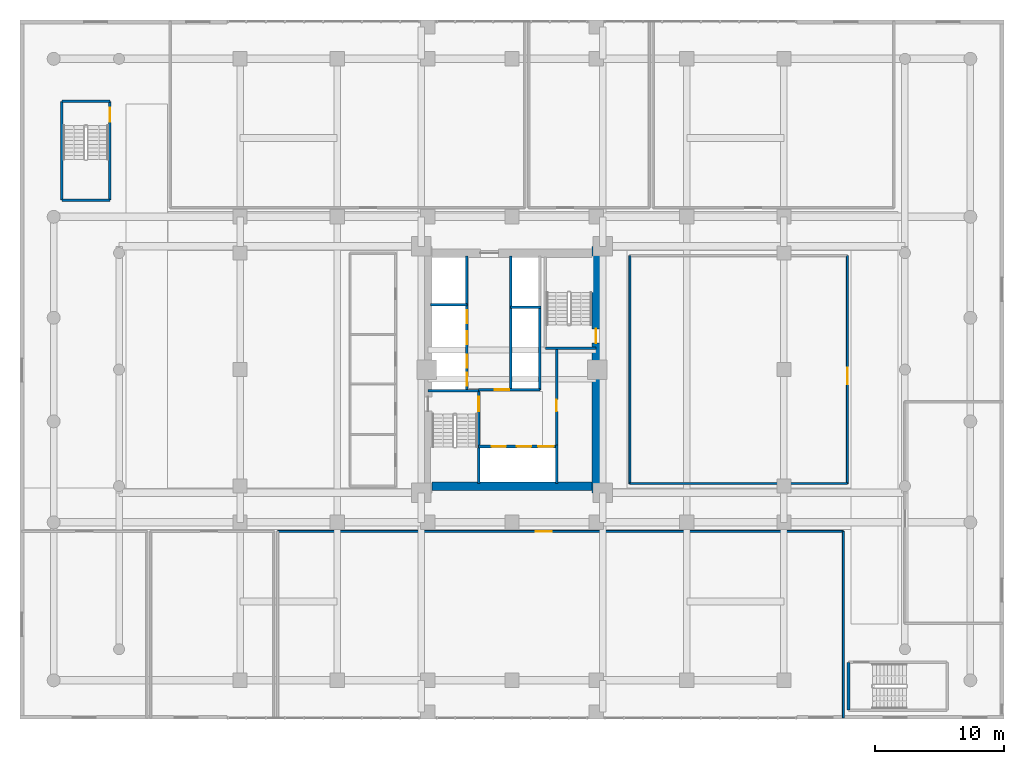
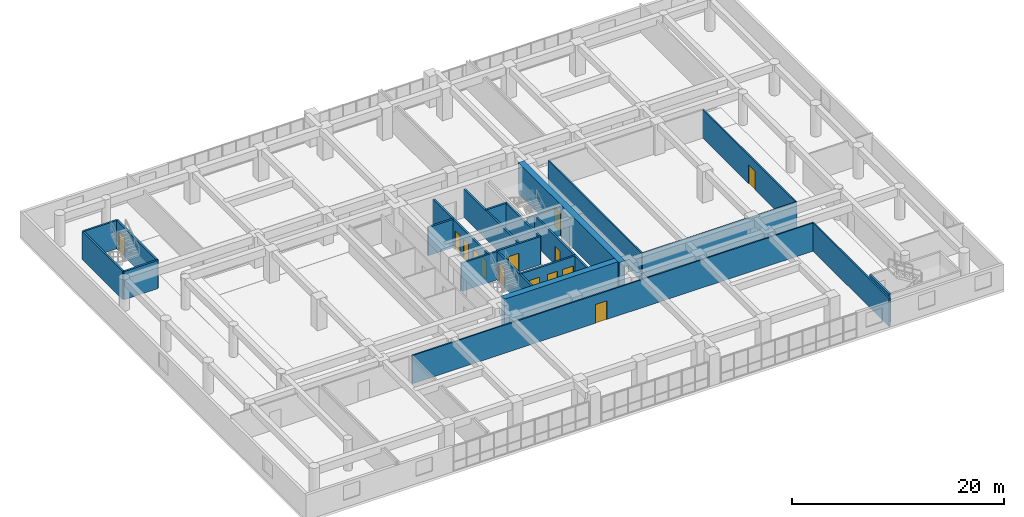
# One storey, part 19 of 30: 24 walls, 14 doors, 14 openings.
"""IFC4 building model written with IfcOpenShell, lengths in metres."""

from ifc_helpers import new_model, si_unit, direction, frame, frame_2d, origin, place, context, subcontext, project, spatial, rectangle, extrude, source, transform, mapped, material, layer, layer_set, type_object, element, fill, save


model = new_model("IFC4")

# Units and contexts
model_context = context("Model", 3, precision=1e-05, world=origin(), true_north=direction((0.0, 1.0)))
body_context = subcontext(model_context, "Body", "Model", "MODEL_VIEW")
ifc_project = project(units=[si_unit("LENGTHUNIT", "METRE"), si_unit("AREAUNIT", "SQUARE_METRE"), si_unit("VOLUMEUNIT", "CUBIC_METRE"), si_unit("PLANEANGLEUNIT", "RADIAN"), si_unit("MASSUNIT", "GRAM", prefix="KILO")], contexts=[model_context])

# Site, building, storey
site_placement = place(None, origin())
site = spatial("IfcSite", under=ifc_project, at=site_placement, CompositionType="ELEMENT")
building_placement = place(site_placement, origin())
building = spatial("IfcBuilding", under=site, at=building_placement, Name="Saelheon Loggia Tower", CompositionType="ELEMENT")
storey_placement = place(building_placement, frame((0.0, 0.0, 11.39990234375)))
storey = spatial("IfcBuildingStorey", under=building, at=storey_placement, Name="L03", CompositionType="ELEMENT", Elevation=11.39990234375)

# Wall, opening, door
ifc_material_1 = material(Name="Concrete C60/75", Category="concrete")
ifc_layer_1 = layer(ifc_material_1, 0.64990234375)
ifc_layer_set_1 = layer_set([ifc_layer_1], Name="Concrete C60/75")
wall_type_1 = type_object("IfcWallType", Name="Wall_CoreShear_650", PredefinedType="SHEAR", material=ifc_layer_set_1)
wall_1_placement = place(storey_placement, frame((44.5, 17.47998046875, 0.0), z_axis=(0.0, 0.0, 1.0), x_axis=(0.0, 1.0, 0.0)))
wall_1 = element("IfcWall", 1, at=wall_1_placement, inside=storey, type_object=wall_type_1, Name="L03 Core Shear Wall East", PredefinedType="SHEAR", context=body_context, shape_type="SweptSolid", body=[
    extrude(rectangle(XDim=19.0400390625, YDim=0.64990234375, at=frame_2d((9.52001953125, 0.0))), origin(), (0.0, 0.0, 1.0), 3.60009765625),
])
opening_1_placement = place(wall_1_placement, frame((12.670166015625, 0.0, 0.0), z_axis=(0.0, 0.0, 1.0), x_axis=(-1.0, 0.0, 0.0)))
opening_1 = element("IfcOpeningElement", 2, at=opening_1_placement, cuts=wall_1, Name="Opening D-FD2", PredefinedType="OPENING", context=body_context, shape_type="SweptSolid", body=[
    extrude(rectangle(XDim=1.10009765625, YDim=2.14990234375, at=frame_2d((0.550048828125, 1.074951171875))), frame((0.0, 0.3369140625, 0.0), z_axis=(0.0, -1.0, 0.0), x_axis=(1.0, 0.0, 0.0)), (0.0, 0.0, 1.0), 0.673828125),
])
ifc_material_2 = material(Name="Galvanised Steel Fire Door", Category="steel")
door_type_1 = type_object("IfcDoorType", Name="Door_Fire_FD60_1100", OperationType="NOTDEFINED", PredefinedType="DOOR", material=ifc_material_2)
shared_shape_1 = source(origin(), body_context, "Body", "SweptSolid", [
    extrude(rectangle(XDim=1.10009765625, YDim=2.14990234375, at=frame_2d((0.550048828125, 1.074951171875))), frame((0.0, 0.02490234375, 0.0), z_axis=(0.0, -1.0, 0.0), x_axis=(1.0, 0.0, 0.0)), (0.0, 0.0, 1.0), 0.050048828125),
])
door_1_placement = place(opening_1_placement, origin())
door_1 = element("IfcDoor", 3, at=door_1_placement, inside=storey, type_object=door_type_1, Name="L03 Stair ST2 Corridor Door", OperationType="SINGLE_SWING_RIGHT", OverallHeight=2.14990234375, OverallWidth=1.10009765625, PredefinedType="DOOR", context=body_context, shape_type="MappedRepresentation", body=[
    mapped(shared_shape_1, transform((0.0, 0.0, 0.0), scale=1.0)),
])
fill(opening_1, door_1)

# Wall
wall_2_placement = place(storey_placement, frame((31.824951171875, 18.0, 0.0), z_axis=(0.0, 0.0, 1.0), x_axis=(1.0, 0.0, 0.0)))
element("IfcWall", 4, at=wall_2_placement, inside=storey, type_object=wall_type_1, Name="L03 Core Shear Wall South", PredefinedType="SHEAR", context=body_context, shape_type="SweptSolid", body=[
    extrude(rectangle(XDim=12.35009765625, YDim=0.64990234375, at=frame_2d((6.175048828125, 0.0))), origin(), (0.0, 0.0, 1.0), 3.60009765625),
])

# Wall, opening, door
ifc_material_3 = material(Name="Lightweight Autoclaved Aerated Concrete Block and Acoustic Gypsum", Category="concrete")
ifc_layer_2 = layer(ifc_material_3, 0.14990234375)
ifc_layer_set_2 = layer_set([ifc_layer_2], Name="Lightweight Autoclaved Aerated Concrete Block and Acoustic Gypsum")
wall_type_2 = type_object("IfcWallType", Name="Wall_Part_150", PredefinedType="PARTITIONING", material=ifc_layer_set_2)
wall_3_placement = place(storey_placement, frame((19.89990234375, 14.5, 0.0), z_axis=(0.0, 0.0, 1.0), x_axis=(1.0, 0.0, 0.0)))
wall_3 = element("IfcWall", 5, at=wall_3_placement, inside=storey, type_object=wall_type_2, Name="PW-L03-REHAB-N", PredefinedType="PARTITIONING", context=body_context, shape_type="SweptSolid", body=[
    extrude(rectangle(XDim=43.7001953125, YDim=0.14990234375, at=frame_2d((21.85009765625, 0.0))), origin(), (0.0, 0.0, 1.0), 3.25),
])
opening_2_placement = place(wall_3_placement, frame((19.92041015625, 0.0, 0.0)))
opening_2 = element("IfcOpeningElement", 6, at=opening_2_placement, cuts=wall_3, Name="Opening D-CL1", PredefinedType="OPENING", context=body_context, shape_type="SweptSolid", body=[
    extrude(rectangle(XDim=1.25, YDim=2.14990234375, at=frame_2d((0.625, 1.074951171875))), frame((0.0, 0.0869140625, 0.0), z_axis=(0.0, -1.0, 0.0), x_axis=(1.0, 0.0, 0.0)), (0.0, 0.0, 1.0), 0.173828125),
])
ifc_material_4 = material(Name="Antimicrobial Hospital Laminate Door", Category="timber")
door_type_2 = type_object("IfcDoorType", Name="Door_Clinic_1250", OperationType="NOTDEFINED", PredefinedType="DOOR", material=ifc_material_4)
shared_shape_2 = source(origin(), body_context, "Body", "SweptSolid", [
    extrude(rectangle(XDim=1.25, YDim=2.14990234375, at=frame_2d((0.625, 1.074951171875))), frame((0.0, 0.02490234375, 0.0), z_axis=(0.0, -1.0, 0.0), x_axis=(1.0, 0.0, 0.0)), (0.0, 0.0, 1.0), 0.050048828125),
])
door_2_placement = place(opening_2_placement, origin())
door_2 = element("IfcDoor", 7, at=door_2_placement, inside=storey, type_object=door_type_2, Name="L03 Physical Rehabilitation Gymnasium Door", OperationType="SINGLE_SWING_RIGHT", OverallHeight=2.14990234375, OverallWidth=1.25, PredefinedType="DOOR", context=body_context, shape_type="MappedRepresentation", body=[
    mapped(shared_shape_2, transform((0.0, 0.0, 0.0), scale=1.0)),
])
fill(opening_2, door_2)

# Walls
wall_4_placement = place(storey_placement, frame((63.60009765625, 0.10009765625, 0.0), z_axis=(0.0, 0.0, 1.0), x_axis=(0.0, 1.0, 0.0)))
element("IfcWall", 8, at=wall_4_placement, inside=storey, type_object=wall_type_2, Name="PW-L03-REHAB-E", PredefinedType="PARTITIONING", context=body_context, shape_type="SweptSolid", body=[
    extrude(rectangle(XDim=14.39990234375, YDim=0.14990234375, at=frame_2d((7.199951171875, 0.0))), origin(), (0.0, 0.0, 1.0), 3.25),
])
wall_5_placement = place(storey_placement, frame((47.10009765625, 18.199951171875, 0.0), z_axis=(0.0, 0.0, 1.0), x_axis=(1.0, 0.0, 0.0)))
element("IfcWall", 9, at=wall_5_placement, inside=storey, type_object=wall_type_2, Name="PW-L03-EQUIP3-S", PredefinedType="PARTITIONING", context=body_context, shape_type="SweptSolid", body=[
    extrude(rectangle(XDim=16.7998046875, YDim=0.14990234375, at=frame_2d((8.39990234375, 0.0))), origin(), (0.0, 0.0, 1.0), 3.25),
])
wall_6_placement = place(storey_placement, frame((47.10009765625, 18.199951171875, 0.0), z_axis=(0.0, 0.0, 1.0), x_axis=(0.0, 1.0, 0.0)))
element("IfcWall", 10, at=wall_6_placement, inside=storey, type_object=wall_type_2, Name="PW-L03-EQUIP3-W", PredefinedType="PARTITIONING", context=body_context, shape_type="SweptSolid", body=[
    extrude(rectangle(XDim=17.60009765625, YDim=0.14990234375, at=frame_2d((8.800048828125, 0.0))), origin(), (0.0, 0.0, 1.0), 3.25),
])

# Wall, opening, door
wall_7_placement = place(storey_placement, frame((63.89990234375, 18.199951171875, 0.0), z_axis=(0.0, 0.0, 1.0), x_axis=(0.0, 1.0, 0.0)))
wall_7 = element("IfcWall", 11, at=wall_7_placement, inside=storey, type_object=wall_type_2, Name="PW-L03-EQUIP3-E", PredefinedType="PARTITIONING", context=body_context, shape_type="SweptSolid", body=[
    extrude(rectangle(XDim=17.60009765625, YDim=0.14990234375, at=frame_2d((8.800048828125, 0.0))), origin(), (0.0, 0.0, 1.0), 3.25),
])
opening_3_placement = place(wall_7_placement, frame((7.685791015625, 0.0, 0.0)))
opening_3 = element("IfcOpeningElement", 12, at=opening_3_placement, cuts=wall_7, Name="Opening D-CL1", PredefinedType="OPENING", context=body_context, shape_type="SweptSolid", body=[
    extrude(rectangle(XDim=1.25, YDim=2.14990234375, at=frame_2d((0.625, 1.074951171875))), frame((0.0, 0.0869140625, 0.0), z_axis=(0.0, -1.0, 0.0), x_axis=(1.0, 0.0, 0.0)), (0.0, 0.0, 1.0), 0.173828125),
])
door_3_placement = place(opening_3_placement, origin())
door_3 = element("IfcDoor", 13, at=door_3_placement, inside=storey, type_object=door_type_2, Name="L03 Rehabilitation Staff Open Plan Office Door", OperationType="SINGLE_SWING_LEFT", OverallHeight=2.14990234375, OverallWidth=1.25, PredefinedType="DOOR", context=body_context, shape_type="MappedRepresentation", body=[
    mapped(shared_shape_2, transform((0.0, 0.0, 0.0), scale=1.0)),
])
fill(opening_3, door_3)

# Wall
ifc_material_5 = material(Name="Concrete C40/50", Category="concrete")
ifc_layer_3 = layer(ifc_material_5, 0.199951171875)
ifc_layer_set_3 = layer_set([ifc_layer_3], Name="Concrete C40/50")
wall_type_3 = type_object("IfcWallType", Name="Wall_Shaft_200", PredefinedType="PARTITIONING", material=ifc_layer_set_3)
wall_8_placement = place(storey_placement, frame((41.449951171875, 18.219970703125, 0.0), z_axis=(0.0, 0.0, 1.0), x_axis=(0.0, 1.0, 0.0)))
element("IfcWall", 14, at=wall_8_placement, inside=storey, type_object=wall_type_3, Name="CW-INT-L03-BOH-W0", PredefinedType="PARTITIONING", context=body_context, shape_type="SweptSolid", body=[
    extrude(rectangle(XDim=2.9599609375, YDim=0.199951171875, at=frame_2d((1.47998046875, 0.0))), origin(), (0.0, 0.0, 1.0), 3.25),
])

# Wall, opening, door
wall_9_placement = place(storey_placement, frame((41.449951171875, 21.179931640625, 0.0), z_axis=(0.0, 0.0, 1.0), x_axis=(0.0, 1.0, 0.0)))
wall_9 = element("IfcWall", 15, at=wall_9_placement, inside=storey, type_object=wall_type_3, Name="CW-INT-L03-BOH-W1", PredefinedType="PARTITIONING", context=body_context, shape_type="SweptSolid", body=[
    extrude(rectangle(XDim=7.420166015625, YDim=0.199951171875, at=frame_2d((3.7099609375, 0.0))), origin(), (0.0, 0.0, 1.0), 3.25),
])
opening_4_placement = place(wall_9_placement, frame((2.60009765625, 0.0, 0.0)))
opening_4 = element("IfcOpeningElement", 16, at=opening_4_placement, cuts=wall_9, Name="Opening D-RS1", PredefinedType="OPENING", context=body_context, shape_type="SweptSolid", body=[
    extrude(rectangle(XDim=0.89990234375, YDim=2.10009765625, at=frame_2d((0.449951171875, 1.050048828125))), frame((0.0, 0.112060546875, 0.0), z_axis=(0.0, -1.0, 0.0), x_axis=(1.0, 0.0, 0.0)), (0.0, 0.0, 1.0), 0.223876953125),
])
ifc_material_6 = material(Name="Galvanised Steel Riser Access Door", Category="steel")
door_type_3 = type_object("IfcDoorType", Name="Door_Riser_FD60", OperationType="NOTDEFINED", PredefinedType="DOOR", material=ifc_material_6)
shared_shape_3 = source(origin(), body_context, "Body", "SweptSolid", [
    extrude(rectangle(XDim=0.89990234375, YDim=2.10009765625, at=frame_2d((0.449951171875, 1.050048828125))), frame((0.0, 0.02490234375, 0.0), z_axis=(0.0, -1.0, 0.0), x_axis=(1.0, 0.0, 0.0)), (0.0, 0.0, 1.0), 0.050048828125),
])
door_4_placement = place(opening_4_placement, origin())
door_4 = element("IfcDoor", 17, at=door_4_placement, inside=storey, type_object=door_type_3, Name="L03 Core Service Store Door", OperationType="SINGLE_SWING_LEFT", OverallHeight=2.10009765625, OverallWidth=0.89990234375, PredefinedType="DOOR", context=body_context, shape_type="MappedRepresentation", body=[
    mapped(shared_shape_3, transform((0.0, 0.0, 0.0), scale=1.0)),
])
fill(opening_4, door_4)

# Wall
wall_10_placement = place(storey_placement, frame((40.14990234375, 25.43994140625, 0.0), z_axis=(0.0, 0.0, 1.0), x_axis=(0.0, 1.0, 0.0)))
element("IfcWall", 18, at=wall_10_placement, inside=storey, type_object=wall_type_3, Name="L03 Core Service Passage West Wall", PredefinedType="PARTITIONING", context=body_context, shape_type="SweptSolid", body=[
    extrude(rectangle(XDim=6.360107421875, YDim=0.199951171875, at=frame_2d((3.18017578125, 0.0))), origin(), (0.0, 0.0, 1.0), 3.25),
])

# Wall, openings, doors
wall_11_placement = place(storey_placement, frame((35.429931640625, 21.06005859375, 0.0), z_axis=(0.0, 0.0, 1.0), x_axis=(1.0, 0.0, 0.0)))
wall_11 = element("IfcWall", 19, at=wall_11_placement, inside=storey, type_object=wall_type_3, Name="L03 Firefighting Lift Shaft Front Wall", PredefinedType="PARTITIONING", context=body_context, shape_type="SweptSolid", body=[
    extrude(rectangle(XDim=6.02001953125, YDim=0.199951171875, at=frame_2d((3.010009765625, 0.0))), origin(), (0.0, 0.0, 1.0), 3.25),
])
opening_5_placement = place(wall_11_placement, frame((1.0, 0.0, 0.0)))
opening_5 = element("IfcOpeningElement", 20, at=opening_5_placement, cuts=wall_11, Name="Opening LD2", PredefinedType="OPENING", context=body_context, shape_type="SweptSolid", body=[
    extrude(rectangle(XDim=1.10009765625, YDim=2.14990234375, at=frame_2d((0.550048828125, 1.074951171875))), frame((0.0, 0.112060546875, 0.0), z_axis=(0.0, -1.0, 0.0), x_axis=(1.0, 0.0, 0.0)), (0.0, 0.0, 1.0), 0.223876953125),
])
opening_6_placement = place(wall_11_placement, frame((2.949951171875, 0.0, 0.0)))
opening_6 = element("IfcOpeningElement", 21, at=opening_6_placement, cuts=wall_11, Name="Opening LD2", PredefinedType="OPENING", context=body_context, shape_type="SweptSolid", body=[
    extrude(rectangle(XDim=1.10009765625, YDim=2.14990234375, at=frame_2d((0.550048828125, 1.074951171875))), frame((0.0, 0.112060546875, 0.0), z_axis=(0.0, -1.0, 0.0), x_axis=(1.0, 0.0, 0.0)), (0.0, 0.0, 1.0), 0.223876953125),
])
opening_7_placement = place(wall_11_placement, frame((4.580078125, 0.0, 0.0)))
opening_7 = element("IfcOpeningElement", 22, at=opening_7_placement, cuts=wall_11, Name="Opening LD3", PredefinedType="OPENING", context=body_context, shape_type="SweptSolid", body=[
    extrude(rectangle(XDim=1.199951171875, YDim=2.14990234375, at=frame_2d((0.60009765625, 1.074951171875))), frame((0.0, 0.112060546875, 0.0), z_axis=(0.0, -1.0, 0.0), x_axis=(1.0, 0.0, 0.0)), (0.0, 0.0, 1.0), 0.223876953125),
])
ifc_material_7 = material(Name="Firefighting Stainless Steel 316 Landing Door", Category="steel")
door_type_4 = type_object("IfcDoorType", Name="Door_Lift_LD2", OperationType="DOUBLE_DOOR_SLIDING", PredefinedType="DOOR", material=ifc_material_7)
door_5_placement = place(opening_5_placement, origin())
door_5 = element("IfcDoor", 23, at=door_5_placement, inside=storey, type_object=door_type_4, Name="L03 FF1 Landing Door", OperationType="DOUBLE_DOOR_SLIDING", OverallHeight=2.14990234375, OverallWidth=1.10009765625, PredefinedType="DOOR", context=body_context, shape_type="MappedRepresentation", body=[
    mapped(shared_shape_1, transform((0.0, 0.0, 0.0), scale=1.0)),
])
fill(opening_5, door_5)
door_6_placement = place(opening_6_placement, origin())
door_6 = element("IfcDoor", 24, at=door_6_placement, inside=storey, type_object=door_type_4, Name="L03 FF2 Landing Door", OperationType="DOUBLE_DOOR_SLIDING", OverallHeight=2.14990234375, OverallWidth=1.10009765625, PredefinedType="DOOR", context=body_context, shape_type="MappedRepresentation", body=[
    mapped(shared_shape_1, transform((0.0, 0.0, 0.0), scale=1.0)),
])
fill(opening_6, door_6)
ifc_material_8 = material(Name="Stretcher Lift Stainless Steel 304 Landing Door", Category="steel")
door_type_5 = type_object("IfcDoorType", Name="Door_Lift_LD3", OperationType="DOUBLE_DOOR_SLIDING", PredefinedType="DOOR", material=ifc_material_8)
shared_shape_4 = source(origin(), body_context, "Body", "SweptSolid", [
    extrude(rectangle(XDim=1.199951171875, YDim=2.14990234375, at=frame_2d((0.60009765625, 1.074951171875))), frame((0.0, 0.02490234375, 0.0), z_axis=(0.0, -1.0, 0.0), x_axis=(1.0, 0.0, 0.0)), (0.0, 0.0, 1.0), 0.050048828125),
])
door_7_placement = place(opening_7_placement, origin())
door_7 = element("IfcDoor", 25, at=door_7_placement, inside=storey, type_object=door_type_5, Name="L03 SV1 Landing Door", OperationType="DOUBLE_DOOR_SLIDING", OverallHeight=2.14990234375, OverallWidth=1.199951171875, PredefinedType="DOOR", context=body_context, shape_type="MappedRepresentation", body=[
    mapped(shared_shape_4, transform((0.0, 0.0, 0.0), scale=1.0)),
])
fill(opening_7, door_7)

# Wall, opening, door
wall_12_placement = place(storey_placement, frame((35.429931640625, 25.43994140625, 0.0), z_axis=(0.0, 0.0, 1.0), x_axis=(1.0, 0.0, 0.0)))
wall_12 = element("IfcWall", 26, at=wall_12_placement, inside=storey, type_object=wall_type_3, Name="L03 Firefighting Lobby Compartment Wall", PredefinedType="PARTITIONING", context=body_context, shape_type="SweptSolid", body=[
    extrude(rectangle(XDim=4.719970703125, YDim=0.199951171875, at=frame_2d((2.35986328125, 0.0))), origin(), (0.0, 0.0, 1.0), 3.25),
])
opening_8_placement = place(wall_12_placement, frame((1.25, 0.0, 0.0)))
opening_8 = element("IfcOpeningElement", 27, at=opening_8_placement, cuts=wall_12, Name="Opening D-FD2", PredefinedType="OPENING", context=body_context, shape_type="SweptSolid", body=[
    extrude(rectangle(XDim=1.10009765625, YDim=2.14990234375, at=frame_2d((0.550048828125, 1.074951171875))), frame((0.0, 0.112060546875, 0.0), z_axis=(0.0, -1.0, 0.0), x_axis=(1.0, 0.0, 0.0)), (0.0, 0.0, 1.0), 0.223876953125),
])
door_8_placement = place(opening_8_placement, origin())
door_8 = element("IfcDoor", 28, at=door_8_placement, inside=storey, type_object=door_type_1, Name="L03 Firefighting Lobby Door", OperationType="SINGLE_SWING_RIGHT", OverallHeight=2.14990234375, OverallWidth=1.10009765625, PredefinedType="DOOR", context=body_context, shape_type="MappedRepresentation", body=[
    mapped(shared_shape_1, transform((0.0, 0.0, 0.0), scale=1.0)),
])
fill(opening_8, door_8)

# Wall, openings, doors
wall_13_placement = place(storey_placement, frame((34.52001953125, 25.43994140625, 0.0), z_axis=(0.0, 0.0, 1.0), x_axis=(0.0, 1.0, 0.0)))
wall_13 = element("IfcWall", 29, at=wall_13_placement, inside=storey, type_object=wall_type_3, Name="L03 West Passenger Lift Bank Wall", PredefinedType="PARTITIONING", context=body_context, shape_type="SweptSolid", body=[
    extrude(rectangle(XDim=10.340087890625, YDim=0.199951171875, at=frame_2d((5.169921875, 0.0))), origin(), (0.0, 0.0, 1.0), 3.25),
])
opening_9_placement = place(wall_13_placement, frame((0.320068359375, 0.0, 0.0)))
opening_9 = element("IfcOpeningElement", 30, at=opening_9_placement, cuts=wall_13, Name="Opening LD1", PredefinedType="OPENING", context=body_context, shape_type="SweptSolid", body=[
    extrude(rectangle(XDim=1.0, YDim=2.14990234375, at=frame_2d((0.5, 1.074951171875))), frame((0.0, 0.112060546875, 0.0), z_axis=(0.0, -1.0, 0.0), x_axis=(1.0, 0.0, 0.0)), (0.0, 0.0, 1.0), 0.223876953125),
])
opening_10_placement = place(wall_13_placement, frame((1.7099609375, 0.0, 0.0)))
opening_10 = element("IfcOpeningElement", 31, at=opening_10_placement, cuts=wall_13, Name="Opening LD1", PredefinedType="OPENING", context=body_context, shape_type="SweptSolid", body=[
    extrude(rectangle(XDim=1.0, YDim=2.14990234375, at=frame_2d((0.5, 1.074951171875))), frame((0.0, 0.112060546875, 0.0), z_axis=(0.0, -1.0, 0.0), x_axis=(1.0, 0.0, 0.0)), (0.0, 0.0, 1.0), 0.223876953125),
])
opening_11_placement = place(wall_13_placement, frame((3.534912109375, 0.0, 0.0)))
opening_11 = element("IfcOpeningElement", 32, at=opening_11_placement, cuts=wall_13, Name="Opening LD1", PredefinedType="OPENING", context=body_context, shape_type="SweptSolid", body=[
    extrude(rectangle(XDim=1.0, YDim=2.14990234375, at=frame_2d((0.5, 1.074951171875))), frame((0.0, 0.112060546875, 0.0), z_axis=(0.0, -1.0, 0.0), x_axis=(1.0, 0.0, 0.0)), (0.0, 0.0, 1.0), 0.223876953125),
])
opening_12_placement = place(wall_13_placement, frame((5.135009765625, 0.0, 0.0)))
opening_12 = element("IfcOpeningElement", 33, at=opening_12_placement, cuts=wall_13, Name="Opening LD1", PredefinedType="OPENING", context=body_context, shape_type="SweptSolid", body=[
    extrude(rectangle(XDim=1.0, YDim=2.14990234375, at=frame_2d((0.5, 1.074951171875))), frame((0.0, 0.112060546875, 0.0), z_axis=(0.0, -1.0, 0.0), x_axis=(1.0, 0.0, 0.0)), (0.0, 0.0, 1.0), 0.223876953125),
])
ifc_material_9 = material(Name="Brushed Stainless Steel 304 Landing Door", Category="steel")
door_type_6 = type_object("IfcDoorType", Name="Door_Lift_LD1", OperationType="DOUBLE_DOOR_SLIDING", PredefinedType="DOOR", material=ifc_material_9)
shared_shape_5 = source(origin(), body_context, "Body", "SweptSolid", [
    extrude(rectangle(XDim=1.0, YDim=2.14990234375, at=frame_2d((0.5, 1.074951171875))), frame((0.0, 0.02490234375, 0.0), z_axis=(0.0, -1.0, 0.0), x_axis=(1.0, 0.0, 0.0)), (0.0, 0.0, 1.0), 0.050048828125),
])
door_9_placement = place(opening_9_placement, origin())
door_9 = element("IfcDoor", 34, at=door_9_placement, inside=storey, type_object=door_type_6, Name="L03 PL1 Landing Door", OperationType="DOUBLE_DOOR_SLIDING", OverallHeight=2.14990234375, OverallWidth=1.0, PredefinedType="DOOR", context=body_context, shape_type="MappedRepresentation", body=[
    mapped(shared_shape_5, transform((0.0, 0.0, 0.0), scale=1.0)),
])
fill(opening_9, door_9)
door_10_placement = place(opening_10_placement, origin())
door_10 = element("IfcDoor", 35, at=door_10_placement, inside=storey, type_object=door_type_6, Name="L03 PL2 Landing Door", OperationType="DOUBLE_DOOR_SLIDING", OverallHeight=2.14990234375, OverallWidth=1.0, PredefinedType="DOOR", context=body_context, shape_type="MappedRepresentation", body=[
    mapped(shared_shape_5, transform((0.0, 0.0, 0.0), scale=1.0)),
])
fill(opening_10, door_10)
door_11_placement = place(opening_11_placement, origin())
door_11 = element("IfcDoor", 36, at=door_11_placement, inside=storey, type_object=door_type_6, Name="L03 PL3 Landing Door", OperationType="DOUBLE_DOOR_SLIDING", OverallHeight=2.14990234375, OverallWidth=1.0, PredefinedType="DOOR", context=body_context, shape_type="MappedRepresentation", body=[
    mapped(shared_shape_5, transform((0.0, 0.0, 0.0), scale=1.0)),
])
fill(opening_11, door_11)
door_12_placement = place(opening_12_placement, origin())
door_12 = element("IfcDoor", 37, at=door_12_placement, inside=storey, type_object=door_type_6, Name="L03 PL4 Landing Door", OperationType="DOUBLE_DOOR_SLIDING", OverallHeight=2.14990234375, OverallWidth=1.0, PredefinedType="DOOR", context=body_context, shape_type="MappedRepresentation", body=[
    mapped(shared_shape_5, transform((0.0, 0.0, 0.0), scale=1.0)),
])
fill(opening_12, door_12)

# Walls
wall_14_placement = place(storey_placement, frame((31.719970703125, 32.02001953125, 0.0), z_axis=(0.0, 0.0, 1.0), x_axis=(1.0, 0.0, 0.0)))
element("IfcWall", 38, at=wall_14_placement, inside=storey, type_object=wall_type_3, Name="L03 West High-Rise Shaft Divider", PredefinedType="PARTITIONING", context=body_context, shape_type="SweptSolid", body=[
    extrude(rectangle(XDim=2.800048828125, YDim=0.199951171875, at=frame_2d((1.39990234375, 0.0))), origin(), (0.0, 0.0, 1.0), 3.25),
])
wall_15_placement = place(storey_placement, frame((37.89990234375, 25.43994140625, 0.0), z_axis=(0.0, 0.0, 1.0), x_axis=(0.0, 1.0, 0.0)))
element("IfcWall", 39, at=wall_15_placement, inside=storey, type_object=wall_type_3, Name="L03 East Passenger Lift Bank Wall", PredefinedType="PARTITIONING", context=body_context, shape_type="SweptSolid", body=[
    extrude(rectangle(XDim=10.340087890625, YDim=0.199951171875, at=frame_2d((5.169921875, 0.0))), origin(), (0.0, 0.0, 1.0), 3.25),
])
wall_16_placement = place(storey_placement, frame((37.89990234375, 31.800048828125, 0.0), z_axis=(0.0, 0.0, 1.0), x_axis=(1.0, 0.0, 0.0)))
element("IfcWall", 40, at=wall_16_placement, inside=storey, type_object=wall_type_3, Name="L03 East High-Rise Shaft Divider", PredefinedType="PARTITIONING", context=body_context, shape_type="SweptSolid", body=[
    extrude(rectangle(XDim=2.35009765625, YDim=0.199951171875, at=frame_2d((1.175048828125, 0.0))), origin(), (0.0, 0.0, 1.0), 3.25),
])

# Wall, opening, door
ifc_material_10 = material(Name="Concrete C45/55", Category="concrete")
ifc_layer_4 = layer(ifc_material_10, 0.199951171875)
ifc_layer_set_4 = layer_set([ifc_layer_4], Name="Concrete C45/55")
wall_type_4 = type_object("IfcWallType", Name="Wall_StairShaft_RC200", PredefinedType="SOLIDWALL", material=ifc_layer_set_4)
wall_17_placement = place(storey_placement, frame((35.429931640625, 18.219970703125, 0.0), z_axis=(0.0, 0.0, 1.0), x_axis=(0.0, 1.0, 0.0)))
wall_17 = element("IfcWall", 41, at=wall_17_placement, inside=storey, type_object=wall_type_4, Name="L03 Stair ST1 Shaft Wall", PredefinedType="SOLIDWALL", context=body_context, shape_type="SweptSolid", body=[
    extrude(rectangle(XDim=7.219970703125, YDim=0.199951171875, at=frame_2d((3.60986328125, 0.0))), origin(), (0.0, 0.0, 1.0), 3.25),
])
opening_13_placement = place(wall_17_placement, frame((6.68017578125, 0.0, 0.0), z_axis=(0.0, 0.0, 1.0), x_axis=(-1.0, 0.0, 0.0)))
opening_13 = element("IfcOpeningElement", 42, at=opening_13_placement, cuts=wall_17, Name="Opening D-FD2", PredefinedType="OPENING", context=body_context, shape_type="SweptSolid", body=[
    extrude(rectangle(XDim=1.10009765625, YDim=2.14990234375, at=frame_2d((0.550048828125, 1.074951171875))), frame((0.0, 0.112060546875, 0.0), z_axis=(0.0, -1.0, 0.0), x_axis=(1.0, 0.0, 0.0)), (0.0, 0.0, 1.0), 0.223876953125),
])
door_13_placement = place(opening_13_placement, origin())
door_13 = element("IfcDoor", 43, at=door_13_placement, inside=storey, type_object=door_type_1, Name="L03 Stair ST1 Lobby Door", OperationType="SINGLE_SWING_LEFT", OverallHeight=2.14990234375, OverallWidth=1.10009765625, PredefinedType="DOOR", context=body_context, shape_type="MappedRepresentation", body=[
    mapped(shared_shape_1, transform((0.0, 0.0, 0.0), scale=1.0)),
])
fill(opening_13, door_13)

# Walls
for number, where, z_axis, x_axis, name in (
    (44, (31.5, 25.35009765625, 0.0), (0.0, 0.0, 1.0), (1.0, 0.0, 0.0), "L03 Stair ST1 North Wall"),
    (45, (40.570068359375, 28.64990234375, 0.0), (0.0, 0.0, 1.0), (1.0, 0.0, 0.0), "L03 Stair ST2 South Wall"),
):
    element("IfcWall", number, at=place(storey_placement, frame(where, z_axis=z_axis, x_axis=x_axis)), inside=storey, type_object=wall_type_4, Name=name, PredefinedType="SOLIDWALL", context=body_context, shape_type="SweptSolid", body=[
        extrude(rectangle(XDim=3.929931640625, YDim=0.199951171875, at=frame_2d((1.96484375, 0.0))), origin(), (0.0, 0.0, 1.0), 3.25),
    ])
wall_18_placement = place(storey_placement, frame((3.239990234375, 40.090087890625, 0.0), z_axis=(0.0, 0.0, 1.0), x_axis=(0.0, 1.0, 0.0)))
element("IfcWall", 46, at=wall_18_placement, inside=storey, type_object=wall_type_4, Name="L03 ST3 Shaft West Wall", PredefinedType="SOLIDWALL", context=body_context, shape_type="SweptSolid", body=[
    extrude(rectangle(XDim=7.619873046875, YDim=0.199951171875, at=frame_2d((3.81005859375, 0.0))), origin(), (0.0, 0.0, 1.0), 3.25),
])

# Wall, opening, door
wall_19_placement = place(storey_placement, frame((6.93994140625, 40.090087890625, 0.0), z_axis=(0.0, 0.0, 1.0), x_axis=(0.0, 1.0, 0.0)))
wall_19 = element("IfcWall", 47, at=wall_19_placement, inside=storey, type_object=wall_type_4, Name="L03 ST3 Shaft East Wall", PredefinedType="SOLIDWALL", context=body_context, shape_type="SweptSolid", body=[
    extrude(rectangle(XDim=7.619873046875, YDim=0.199951171875, at=frame_2d((3.81005859375, 0.0))), origin(), (0.0, 0.0, 1.0), 3.25),
])
opening_14_placement = place(wall_19_placement, frame((7.150146484375, 0.0, 0.0), z_axis=(0.0, 0.0, 1.0), x_axis=(-1.0, 0.0, 0.0)))
opening_14 = element("IfcOpeningElement", 48, at=opening_14_placement, cuts=wall_19, Name="Opening D-FD2", PredefinedType="OPENING", context=body_context, shape_type="SweptSolid", body=[
    extrude(rectangle(XDim=1.10009765625, YDim=2.14990234375, at=frame_2d((0.550048828125, 1.074951171875))), frame((0.0, 0.112060546875, 0.0), z_axis=(0.0, -1.0, 0.0), x_axis=(1.0, 0.0, 0.0)), (0.0, 0.0, 1.0), 0.223876953125),
])
door_14_placement = place(opening_14_placement, origin())
door_14 = element("IfcDoor", 49, at=door_14_placement, inside=storey, type_object=door_type_1, Name="L03 Escape Stair ST3 Door", OperationType="SINGLE_SWING_RIGHT", OverallHeight=2.14990234375, OverallWidth=1.10009765625, PredefinedType="DOOR", context=body_context, shape_type="MappedRepresentation", body=[
    mapped(shared_shape_1, transform((0.0, 0.0, 0.0), scale=1.0)),
])
fill(opening_14, door_14)

# Walls
for number, where, z_axis, x_axis, name in (
    (50, (3.239990234375, 40.090087890625, 0.0), (0.0, 0.0, 1.0), (1.0, 0.0, 0.0), "L03 ST3 Shaft South Wall"),
    (51, (3.239990234375, 47.7099609375, 0.0), (0.0, 0.0, 1.0), (1.0, 0.0, 0.0), "L03 ST3 Shaft North Wall"),
    (52, (63.989990234375, 0.68994140625, 0.0), (0.0, 0.0, 1.0), (0.0, 1.0, 0.0), "L03 ST4 Shaft West Wall"),
):
    element("IfcWall", number, at=place(storey_placement, frame(where, z_axis=z_axis, x_axis=x_axis)), inside=storey, type_object=wall_type_4, Name=name, PredefinedType="SOLIDWALL", context=body_context, shape_type="SweptSolid", body=[
        extrude(rectangle(XDim=3.699951171875, YDim=0.199951171875, at=frame_2d((1.85009765625, 0.0))), origin(), (0.0, 0.0, 1.0), 3.25),
    ])

save(model, "model.ifc")
